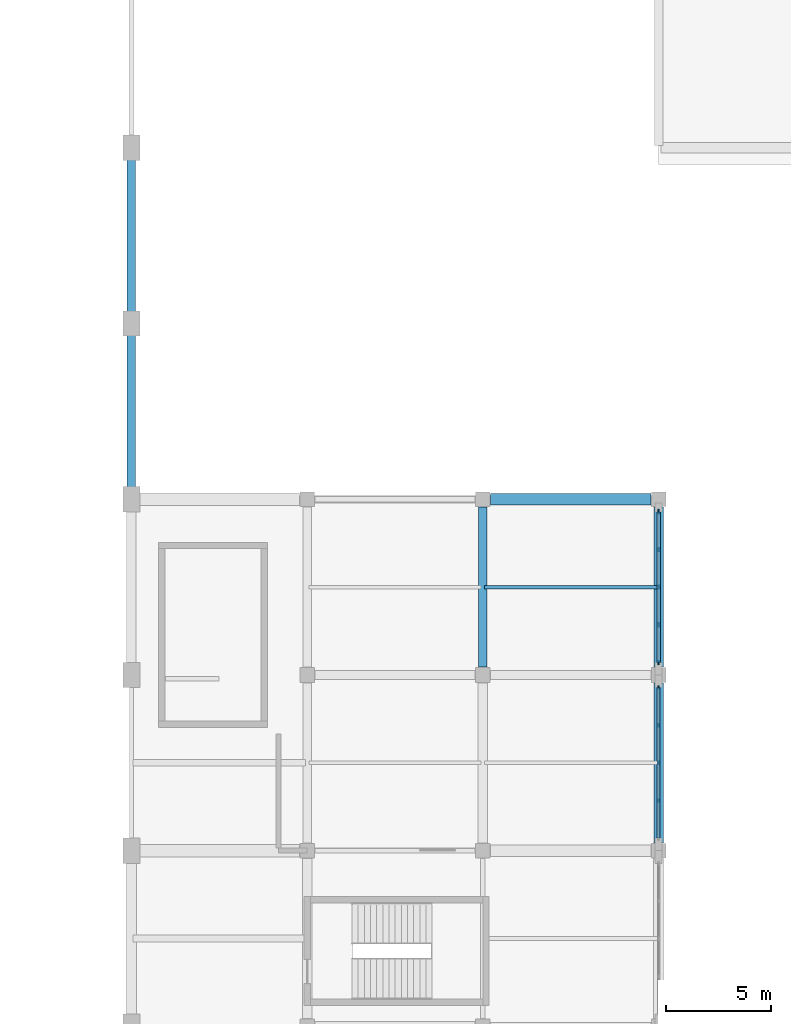
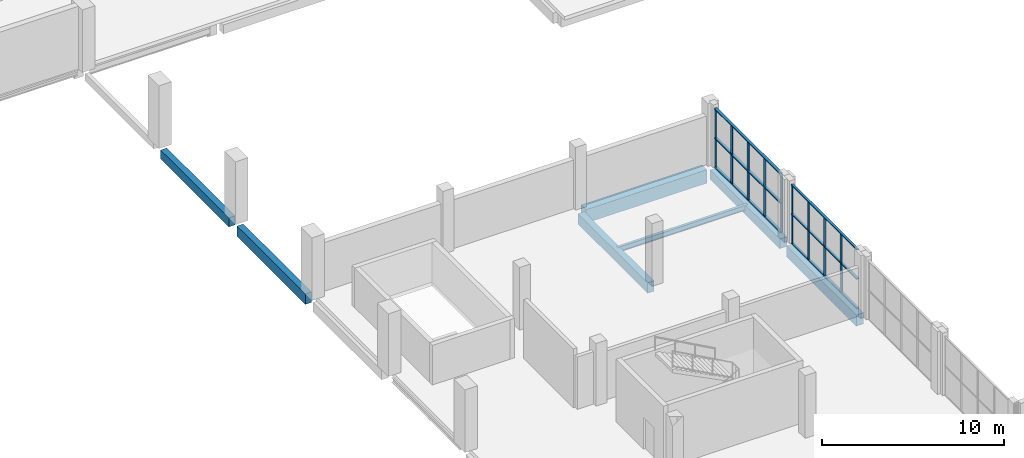
# One storey, part 28 of 59: 15 members, 7 beams, 2 elements without a shape of their own.
"""IFC4 building model written with IfcOpenShell, lengths in metres."""

from ifc_helpers import new_model, si_unit, derived_unit, direction, frame, origin, origin_2d, place, context, subcontext, project, spatial, rectangle, i_section, extrude, material, material_profile, profile_set, type_object, element, aggregate, save


model = new_model("IFC4")

# Units and contexts
model_context = context("Model", 3, precision=1e-05, world=origin(), true_north=direction((0.0, 1.0)))
body_context = subcontext(model_context, "Body", "Model", "MODEL_VIEW")
ifc_project = project(units=[si_unit("LENGTHUNIT", "METRE"), si_unit("AREAUNIT", "SQUARE_METRE"), si_unit("VOLUMEUNIT", "CUBIC_METRE"), si_unit("PLANEANGLEUNIT", "RADIAN"), si_unit("MASSUNIT", "GRAM", prefix="KILO"), derived_unit("THERMALTRANSMITTANCEUNIT", [(si_unit("POWERUNIT", "WATT"), 1), (si_unit("LENGTHUNIT", "METRE"), -2), (si_unit("THERMODYNAMICTEMPERATUREUNIT", "KELVIN"), -1)])], contexts=[model_context])

# Site, building, storey
site_placement = place(None, origin())
site = spatial("IfcSite", under=ifc_project, at=site_placement, CompositionType="ELEMENT")
building_placement = place(site_placement, origin())
building = spatial("IfcBuilding", under=site, at=building_placement, Name="Barrovel Congress Hotel", CompositionType="ELEMENT")
storey_placement = place(building_placement, frame((0.0, 0.0, 9.89990234375)))
storey = spatial("IfcBuildingStorey", under=building, at=storey_placement, Name="L02", CompositionType="ELEMENT", Elevation=9.89990234375)

# Beams
ifc_material_1 = material(Name="Concrete C40", Category="concrete")
ifc_material_profile_1 = material_profile(ifc_material_1, rectangle(XDim=0.39990234375, YDim=0.60009765625, at=origin_2d()), Name="RC400x600")
ifc_profile_set_1 = profile_set([ifc_material_profile_1], Name="Concrete C40")
beam_type_1 = type_object("IfcBeamType", Name="BM-RC400x600", PredefinedType="BEAM", material=ifc_profile_set_1)
beam_1_placement = place(storey_placement, frame((33.60009765625, 88.64990234375, -0.559814453125), z_axis=(0.0, 1.0, 0.0), x_axis=(-1.0, 0.0, 0.0)))
element("IfcBeam", 1, at=beam_1_placement, inside=storey, type_object=beam_type_1, Name="BMY:L02:33.6:88.2-96.6", PredefinedType="BEAM", context=body_context, shape_type="SweptSolid", body=[
    extrude(rectangle(XDim=0.39990234375, YDim=0.60009765625, at=origin_2d()), origin(), (0.0, 0.0, 1.0), 7.5),
])
ifc_material_profile_2 = material_profile(ifc_material_1, rectangle(XDim=0.39990234375, YDim=0.699951171875, at=origin_2d()), Name="RC400x700")
ifc_profile_set_2 = profile_set([ifc_material_profile_2], Name="Concrete C40")
beam_type_2 = type_object("IfcBeamType", Name="BM-RC400x700", PredefinedType="BEAM", material=ifc_profile_set_2)
beam_2_placement = place(storey_placement, frame((33.60009765625, 80.25, -0.60986328125), z_axis=(0.0, 1.0, 0.0), x_axis=(-1.0, 0.0, 0.0)))
element("IfcBeam", 2, at=beam_2_placement, inside=storey, type_object=beam_type_2, Name="BMY:L02:33.6:79.8-88.2", PredefinedType="BEAM", context=body_context, shape_type="SweptSolid", body=[
    extrude(rectangle(XDim=0.39990234375, YDim=0.699951171875, at=origin_2d()), origin(), (0.0, 0.0, 1.0), 7.5),
])
beam_3_placement = place(storey_placement, frame((50.39990234375, 71.77490234375, -0.60986328125), z_axis=(0.0, 1.0, 0.0), x_axis=(-1.0, 0.0, 0.0)))
element("IfcBeam", 3, at=beam_3_placement, inside=storey, type_object=beam_type_2, Name="BMY:L02:50.4:71.4-79.8", PredefinedType="BEAM", context=body_context, shape_type="SweptSolid", body=[
    extrude(rectangle(XDim=0.39990234375, YDim=0.699951171875, at=origin_2d()), origin(), (0.0, 0.0, 1.0), 7.650146484375),
])
ifc_material_profile_3 = material_profile(ifc_material_1, rectangle(XDim=0.449951171875, YDim=0.64990234375, at=origin_2d()), Name="RC450x650")
ifc_profile_set_3 = profile_set([ifc_material_profile_3], Name="Concrete C40")
beam_type_3 = type_object("IfcBeamType", Name="BM-RC450x650", PredefinedType="BEAM", material=ifc_profile_set_3)
beam_4_placement = place(storey_placement, frame((58.800048828125, 71.77490234375, -0.5849609375), z_axis=(0.0, 1.0, 0.0), x_axis=(-1.0, 0.0, 0.0)))
element("IfcBeam", 4, at=beam_4_placement, inside=storey, type_object=beam_type_3, Name="BMY:L02:58.8:71.4-79.8", PredefinedType="BEAM", context=body_context, shape_type="SweptSolid", body=[
    extrude(rectangle(XDim=0.449951171875, YDim=0.64990234375, at=origin_2d()), origin(), (0.0, 0.0, 1.0), 7.650146484375),
])
ifc_material_profile_4 = material_profile(ifc_material_1, rectangle(XDim=0.449951171875, YDim=0.75, at=origin_2d()), Name="RC450x750")
ifc_profile_set_4 = profile_set([ifc_material_profile_4], Name="Concrete C40")
beam_type_4 = type_object("IfcBeamType", Name="BM-RC450x750", PredefinedType="BEAM", material=ifc_profile_set_4)
beam_5_placement = place(storey_placement, frame((58.800048828125, 63.375, -0.635009765625), z_axis=(0.0, 1.0, 0.0), x_axis=(-1.0, 0.0, 0.0)))
element("IfcBeam", 5, at=beam_5_placement, inside=storey, type_object=beam_type_4, Name="BMY:L02:58.8:63.0-71.4", PredefinedType="BEAM", context=body_context, shape_type="SweptSolid", body=[
    extrude(rectangle(XDim=0.449951171875, YDim=0.75, at=origin_2d()), origin(), (0.0, 0.0, 1.0), 7.64990234375),
])
ifc_material_profile_5 = material_profile(ifc_material_1, rectangle(XDim=0.550048828125, YDim=0.89990234375, at=origin_2d()), Name="RC550x900")
ifc_profile_set_5 = profile_set([ifc_material_profile_5], Name="Concrete C40")
beam_type_5 = type_object("IfcBeamType", Name="BM-RC550x900", PredefinedType="BEAM", material=ifc_profile_set_5)
beam_6_placement = place(storey_placement, frame((50.77490234375, 79.800048828125, -0.7099609375), z_axis=(1.0, 0.0, 0.0), x_axis=(0.0, 1.0, 0.0)))
element("IfcBeam", 6, at=beam_6_placement, inside=storey, type_object=beam_type_5, Name="BMX:L02:79.8:50.4-58.8", PredefinedType="BEAM", context=body_context, shape_type="SweptSolid", body=[
    extrude(rectangle(XDim=0.550048828125, YDim=0.89990234375, at=origin_2d()), origin(), (0.0, 0.0, 1.0), 7.650146484375),
])

# Curtain wall, members
ifc_material_2 = material(Name="Anodised Aluminium Alloy 6063-T6", Category="aluminium")
curtain_wall_type = type_object("IfcCurtainWallType", Name="CW-ST-7200x3600", PredefinedType="USERDEFINED", material=ifc_material_2)
curtain_wall_1_placement = place(storey_placement, origin())
curtain_wall_1 = element("IfcCurtainWall", 7, at=curtain_wall_1_placement, inside=storey, type_object=curtain_wall_type, Name="CW:L02:CW:63.0", ObjectType="STICK CURTAIN WALL", PredefinedType="USERDEFINED")
ifc_material_profile_6 = material_profile(ifc_material_2, rectangle(XDim=0.06494140625, YDim=0.18994140625, at=origin_2d()), Name="AL-M65x190")
ifc_profile_set_6 = profile_set([ifc_material_profile_6], Name="Anodised Aluminium Alloy 6063-T6")
member_type_1 = type_object("IfcMemberType", Name="CWM-AL-M65x190", PredefinedType="MULLION", material=ifc_profile_set_6)
member_1_placement = place(storey_placement, frame((58.800048828125, 65.39990234375, 0.0), z_axis=(0.0, 0.0, 1.0), x_axis=(1.0, 0.0, 0.0)))
member_1 = element("IfcMember", 8, at=member_1_placement, type_object=member_type_1, Name="CW:L02:CW:63.0:M1", PredefinedType="MULLION", context=body_context, shape_type="SweptSolid", body=[
    extrude(rectangle(XDim=0.06494140625, YDim=0.18994140625, at=origin_2d()), origin(), (0.0, 0.0, 1.0), 3.920166015625),
])
member_2_placement = place(storey_placement, frame((58.800048828125, 67.199951171875, 0.0), z_axis=(0.0, 0.0, 1.0), x_axis=(1.0, 0.0, 0.0)))
member_2 = element("IfcMember", 9, at=member_2_placement, type_object=member_type_1, Name="CW:L02:CW:63.0:M2", PredefinedType="MULLION", context=body_context, shape_type="SweptSolid", body=[
    extrude(rectangle(XDim=0.06494140625, YDim=0.18994140625, at=origin_2d()), origin(), (0.0, 0.0, 1.0), 3.920166015625),
])
member_3_placement = place(storey_placement, frame((58.800048828125, 69.0, 0.0), z_axis=(0.0, 0.0, 1.0), x_axis=(1.0, 0.0, 0.0)))
member_3 = element("IfcMember", 10, at=member_3_placement, type_object=member_type_1, Name="CW:L02:CW:63.0:M3", PredefinedType="MULLION", context=body_context, shape_type="SweptSolid", body=[
    extrude(rectangle(XDim=0.06494140625, YDim=0.18994140625, at=origin_2d()), origin(), (0.0, 0.0, 1.0), 3.920166015625),
])
member_4_placement = place(storey_placement, frame((58.800048828125, 70.800048828125, 0.0), z_axis=(0.0, 0.0, 1.0), x_axis=(1.0, 0.0, 0.0)))
member_4 = element("IfcMember", 11, at=member_4_placement, type_object=member_type_1, Name="CW:L02:CW:63.0:M4", PredefinedType="MULLION", context=body_context, shape_type="SweptSolid", body=[
    extrude(rectangle(XDim=0.06494140625, YDim=0.18994140625, at=origin_2d()), origin(), (0.0, 0.0, 1.0), 3.920166015625),
])

curtain_wall_2_placement = place(storey_placement, origin())
curtain_wall_2 = element("IfcCurtainWall", 12, at=curtain_wall_2_placement, inside=storey, type_object=curtain_wall_type, Name="CW:L02:CW:71.4", ObjectType="STICK CURTAIN WALL", PredefinedType="USERDEFINED")
ifc_material_profile_7 = material_profile(ifc_material_2, rectangle(XDim=0.06494140625, YDim=0.219970703125, at=origin_2d()), Name="AL-M65x220")
ifc_profile_set_7 = profile_set([ifc_material_profile_7], Name="Anodised Aluminium Alloy 6063-T6")
member_type_2 = type_object("IfcMemberType", Name="CWM-AL-M65x220", PredefinedType="MULLION", material=ifc_profile_set_7)
member_5_placement = place(storey_placement, frame((58.800048828125, 72.0, 0.0), z_axis=(0.0, 0.0, 1.0), x_axis=(1.0, 0.0, 0.0)))
member_5 = element("IfcMember", 13, at=member_5_placement, type_object=member_type_2, Name="CW:L02:CW:71.4:M0", PredefinedType="MULLION", context=body_context, shape_type="SweptSolid", body=[
    extrude(rectangle(XDim=0.06494140625, YDim=0.219970703125, at=origin_2d()), origin(), (0.0, 0.0, 1.0), 3.920166015625),
])
member_6_placement = place(storey_placement, frame((58.800048828125, 73.800048828125, 0.0), z_axis=(0.0, 0.0, 1.0), x_axis=(1.0, 0.0, 0.0)))
member_6 = element("IfcMember", 14, at=member_6_placement, type_object=member_type_2, Name="CW:L02:CW:71.4:M1", PredefinedType="MULLION", context=body_context, shape_type="SweptSolid", body=[
    extrude(rectangle(XDim=0.06494140625, YDim=0.219970703125, at=origin_2d()), origin(), (0.0, 0.0, 1.0), 3.920166015625),
])
member_7_placement = place(storey_placement, frame((58.800048828125, 75.60009765625, 0.0), z_axis=(0.0, 0.0, 1.0), x_axis=(1.0, 0.0, 0.0)))
member_7 = element("IfcMember", 15, at=member_7_placement, type_object=member_type_2, Name="CW:L02:CW:71.4:M2", PredefinedType="MULLION", context=body_context, shape_type="SweptSolid", body=[
    extrude(rectangle(XDim=0.06494140625, YDim=0.219970703125, at=origin_2d()), origin(), (0.0, 0.0, 1.0), 3.920166015625),
])
member_8_placement = place(storey_placement, frame((58.800048828125, 77.39990234375, 0.0), z_axis=(0.0, 0.0, 1.0), x_axis=(1.0, 0.0, 0.0)))
member_8 = element("IfcMember", 16, at=member_8_placement, type_object=member_type_2, Name="CW:L02:CW:71.4:M3", PredefinedType="MULLION", context=body_context, shape_type="SweptSolid", body=[
    extrude(rectangle(XDim=0.06494140625, YDim=0.219970703125, at=origin_2d()), origin(), (0.0, 0.0, 1.0), 3.920166015625),
])
member_9_placement = place(storey_placement, frame((58.800048828125, 79.199951171875, 0.0), z_axis=(0.0, 0.0, 1.0), x_axis=(1.0, 0.0, 0.0)))
member_9 = element("IfcMember", 17, at=member_9_placement, type_object=member_type_2, Name="CW:L02:CW:71.4:M4", PredefinedType="MULLION", context=body_context, shape_type="SweptSolid", body=[
    extrude(rectangle(XDim=0.06494140625, YDim=0.219970703125, at=origin_2d()), origin(), (0.0, 0.0, 1.0), 3.920166015625),
])

# Member
ifc_material_profile_8 = material_profile(ifc_material_2, rectangle(XDim=0.14990234375, YDim=0.06494140625, at=origin_2d()), Name="AL-T65x150")
ifc_profile_set_8 = profile_set([ifc_material_profile_8], Name="Anodised Aluminium Alloy 6063-T6")
member_type_3 = type_object("IfcMemberType", Name="CWT-AL-T65x150", PredefinedType="USERDEFINED", material=ifc_profile_set_8)
member_10_placement = place(storey_placement, frame((58.800048828125, 63.60009765625, 0.0), z_axis=(0.0, 1.0, 0.0), x_axis=(-1.0, 0.0, 0.0)))
member_10 = element("IfcMember", 18, at=member_10_placement, type_object=member_type_3, Name="CW:L02:CW:63.0:T0", ObjectType="TRANSOM", PredefinedType="USERDEFINED", context=body_context, shape_type="SweptSolid", body=[
    extrude(rectangle(XDim=0.14990234375, YDim=0.06494140625, at=origin_2d()), origin(), (0.0, 0.0, 1.0), 7.199951171875),
])

member_11_placement = place(storey_placement, frame((58.800048828125, 63.60009765625, 1.960205078125), z_axis=(0.0, 1.0, 0.0), x_axis=(-1.0, 0.0, 0.0)))
member_11 = element("IfcMember", 19, at=member_11_placement, type_object=member_type_3, Name="CW:L02:CW:63.0:T1", ObjectType="TRANSOM", PredefinedType="USERDEFINED", context=body_context, shape_type="SweptSolid", body=[
    extrude(rectangle(XDim=0.14990234375, YDim=0.06494140625, at=origin_2d()), origin(), (0.0, 0.0, 1.0), 7.199951171875),
])

member_12_placement = place(storey_placement, frame((58.800048828125, 63.60009765625, 3.920166015625), z_axis=(0.0, 1.0, 0.0), x_axis=(-1.0, 0.0, 0.0)))
member_12 = element("IfcMember", 20, at=member_12_placement, type_object=member_type_3, Name="CW:L02:CW:63.0:T2", ObjectType="TRANSOM", PredefinedType="USERDEFINED", context=body_context, shape_type="SweptSolid", body=[
    extrude(rectangle(XDim=0.14990234375, YDim=0.06494140625, at=origin_2d()), origin(), (0.0, 0.0, 1.0), 7.199951171875),
])

aggregate(curtain_wall_1, [member_1, member_2, member_3, member_4, member_10, member_11, member_12])

ifc_material_profile_9 = material_profile(ifc_material_2, rectangle(XDim=0.179931640625, YDim=0.06494140625, at=origin_2d()), Name="AL-T65x180")
ifc_profile_set_9 = profile_set([ifc_material_profile_9], Name="Anodised Aluminium Alloy 6063-T6")
member_type_4 = type_object("IfcMemberType", Name="CWT-AL-T65x180", PredefinedType="USERDEFINED", material=ifc_profile_set_9)
member_13_placement = place(storey_placement, frame((58.800048828125, 72.0, 0.0), z_axis=(0.0, 1.0, 0.0), x_axis=(-1.0, 0.0, 0.0)))
member_13 = element("IfcMember", 21, at=member_13_placement, type_object=member_type_4, Name="CW:L02:CW:71.4:T0", ObjectType="TRANSOM", PredefinedType="USERDEFINED", context=body_context, shape_type="SweptSolid", body=[
    extrude(rectangle(XDim=0.179931640625, YDim=0.06494140625, at=origin_2d()), origin(), (0.0, 0.0, 1.0), 7.199951171875),
])

member_14_placement = place(storey_placement, frame((58.800048828125, 72.0, 1.960205078125), z_axis=(0.0, 1.0, 0.0), x_axis=(-1.0, 0.0, 0.0)))
member_14 = element("IfcMember", 22, at=member_14_placement, type_object=member_type_4, Name="CW:L02:CW:71.4:T1", ObjectType="TRANSOM", PredefinedType="USERDEFINED", context=body_context, shape_type="SweptSolid", body=[
    extrude(rectangle(XDim=0.179931640625, YDim=0.06494140625, at=origin_2d()), origin(), (0.0, 0.0, 1.0), 7.199951171875),
])

member_15_placement = place(storey_placement, frame((58.800048828125, 72.0, 3.920166015625), z_axis=(0.0, 1.0, 0.0), x_axis=(-1.0, 0.0, 0.0)))
member_15 = element("IfcMember", 23, at=member_15_placement, type_object=member_type_4, Name="CW:L02:CW:71.4:T2", ObjectType="TRANSOM", PredefinedType="USERDEFINED", context=body_context, shape_type="SweptSolid", body=[
    extrude(rectangle(XDim=0.179931640625, YDim=0.06494140625, at=origin_2d()), origin(), (0.0, 0.0, 1.0), 7.199951171875),
])

aggregate(curtain_wall_2, [member_5, member_6, member_7, member_8, member_9, member_13, member_14, member_15])

# Beam
ifc_material_3 = material(Name="Steel ASTM A992 Grade 50", Category="steel")
ifc_material_profile_10 = material_profile(ifc_material_3, i_section(OverallWidth=0.1708984375, OverallDepth=0.35205078125, WebThickness=0.0068359375, FlangeThickness=0.009765625, FilletRadius=0.011962890625, at=origin_2d()), Name="W360x44")
ifc_profile_set_10 = profile_set([ifc_material_profile_10], Name="Steel ASTM A992 Grade 50")
beam_type_6 = type_object("IfcBeamType", Name="SBM-W360x44", PredefinedType="JOIST", material=ifc_profile_set_10)
beam_7_placement = place(storey_placement, frame((50.47998046875, 75.60009765625, -0.435791015625), z_axis=(1.0, 0.0, 0.0), x_axis=(0.0, 1.0, 0.0)))
element("IfcBeam", 24, at=beam_7_placement, inside=storey, type_object=beam_type_6, Name="JST:L02:50.4:75.6", PredefinedType="JOIST", context=body_context, shape_type="SweptSolid", body=[
    extrude(i_section(OverallWidth=0.1708984375, OverallDepth=0.35205078125, WebThickness=0.0068359375, FlangeThickness=0.009765625, FilletRadius=0.011962890625, at=origin_2d()), origin(), (0.0, 0.0, 1.0), 8.239990234375),
])

save(model, "model.ifc")
